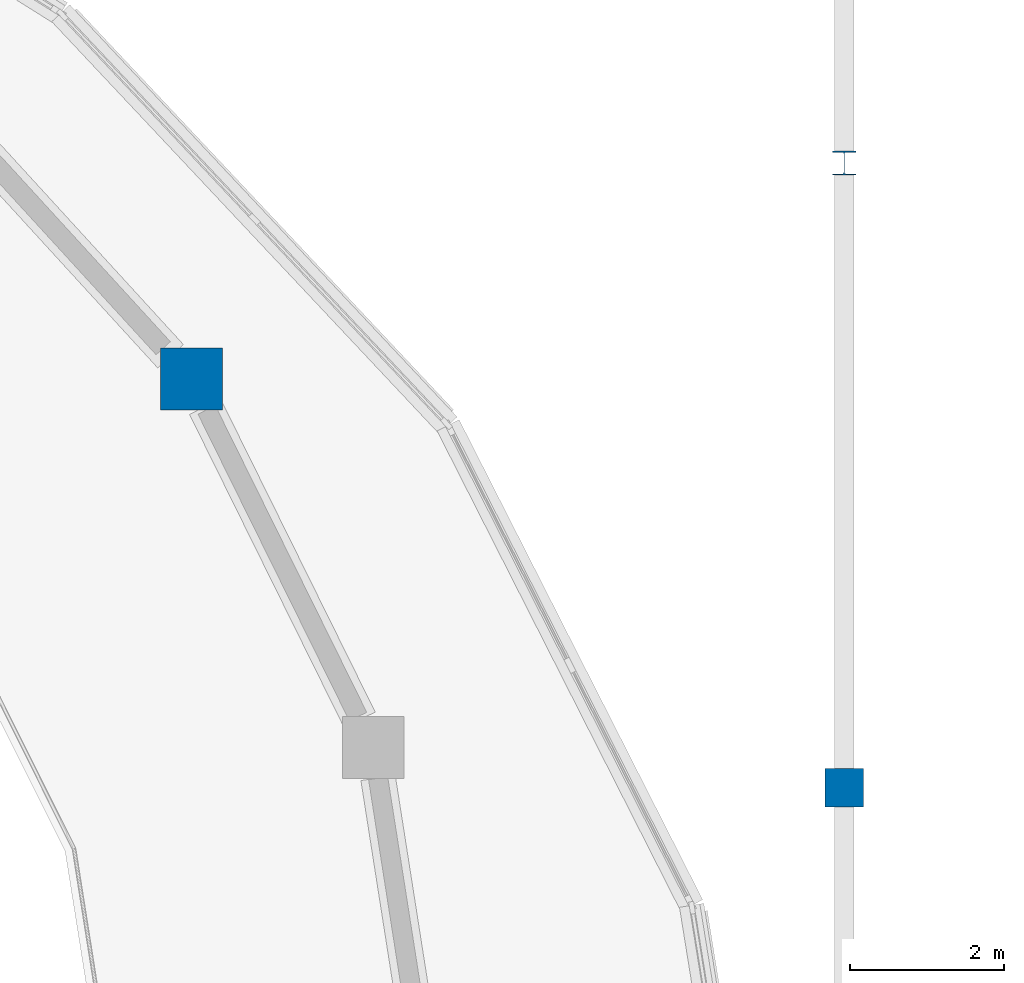
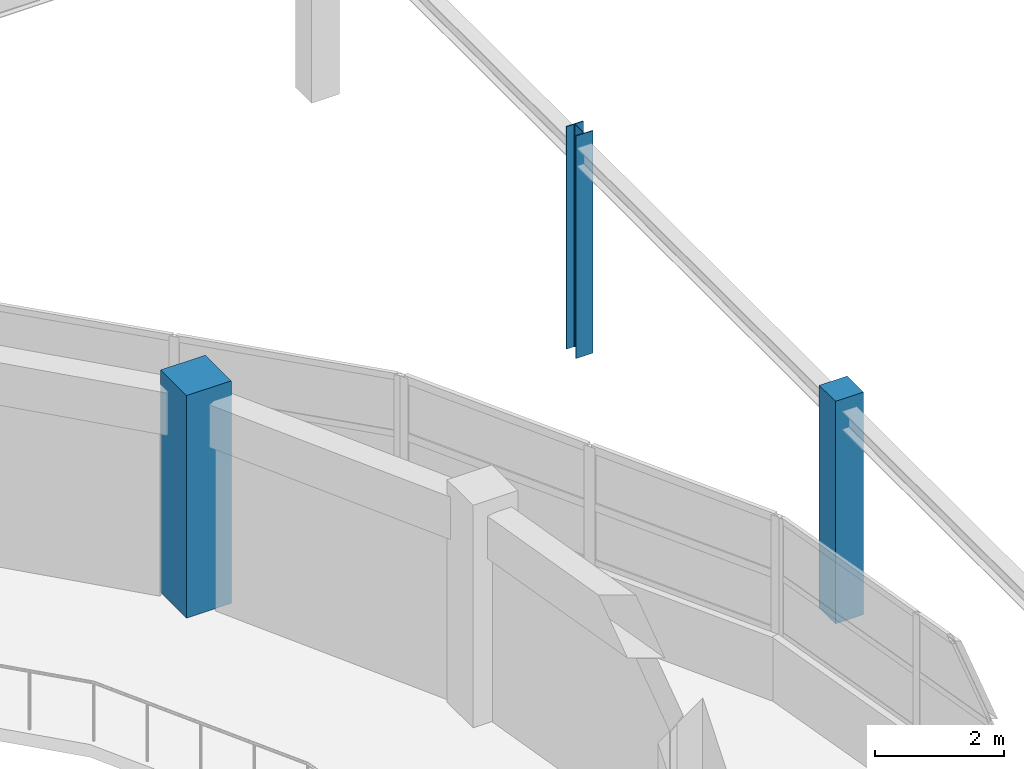
# One storey, part 3 of 54: 3 columns.
"""IFC4 building model written with IfcOpenShell, lengths in metres."""

from ifc_helpers import new_model, si_unit, direction, frame, origin, origin_2d, place, context, subcontext, project, spatial, rectangle, i_section, extrude, material, material_profile, profile_set, type_object, element, save


model = new_model("IFC4")

# Units and contexts
model_context = context("Model", 3, precision=1e-05, world=origin(), true_north=direction((0.0, 1.0)))
body_context = subcontext(model_context, "Body", "Model", "MODEL_VIEW")
ifc_project = project(units=[si_unit("LENGTHUNIT", "METRE"), si_unit("AREAUNIT", "SQUARE_METRE"), si_unit("VOLUMEUNIT", "CUBIC_METRE"), si_unit("PLANEANGLEUNIT", "RADIAN"), si_unit("MASSUNIT", "GRAM", prefix="KILO")], contexts=[model_context])

# Site, building, storey
site_placement = place(None, origin())
site = spatial("IfcSite", under=ifc_project, at=site_placement, CompositionType="ELEMENT")
building_placement = place(site_placement, origin())
building = spatial("IfcBuilding", under=site, at=building_placement, Name="Parian Resonance Hall", CompositionType="ELEMENT")
storey_placement = place(building_placement, frame((0.0, 0.0, 15.0)))
storey = spatial("IfcBuildingStorey", under=building, at=storey_placement, Name="L03", CompositionType="ELEMENT", Elevation=15.0)

# Columns
ifc_material_1 = material(Name="Concrete C40/50", Category="concrete")
ifc_material_profile_1 = material_profile(ifc_material_1, rectangle(XDim=0.5, YDim=0.5, at=origin_2d()), Name="RC-COL-500x500")
ifc_profile_set_1 = profile_set([ifc_material_profile_1], Name="Concrete C40/50")
column_type_1 = type_object("IfcColumnType", Name="COL-RC500", PredefinedType="COLUMN", material=ifc_profile_set_1)
column_1_placement = place(storey_placement, frame((72.89990234375, 48.60009765625, 0.0), z_axis=(0.0, 0.0, 1.0), x_axis=(1.0, 0.0, 0.0)))
element("IfcColumn", 1, at=column_1_placement, inside=storey, type_object=column_type_1, Name="Column G10-07 L03", PredefinedType="COLUMN", context=body_context, shape_type="SweptSolid", body=[
    extrude(rectangle(XDim=0.5, YDim=0.5, at=origin_2d()), origin(), (0.0, 0.0, 1.0), 4.199951171875),
])
ifc_material_2 = material(Name="Concrete C40/50", Category="concrete")
ifc_material_profile_2 = material_profile(ifc_material_2, rectangle(XDim=0.800048828125, YDim=0.800048828125, at=origin_2d()), Name="RC-COL-800x800")
ifc_profile_set_2 = profile_set([ifc_material_profile_2], Name="Concrete C40/50")
column_type_2 = type_object("IfcColumnType", Name="COL-RC800", PredefinedType="COLUMN", material=ifc_profile_set_2)
column_2_placement = place(storey_placement, frame((64.438232421875, 53.89990234375, 0.0), z_axis=(0.0, 0.0, 1.0), x_axis=(1.0, 0.0, 0.0)))
element("IfcColumn", 2, at=column_2_placement, inside=storey, type_object=column_type_2, Name="Column DRM-03 L03", PredefinedType="COLUMN", context=body_context, shape_type="SweptSolid", body=[
    extrude(rectangle(XDim=0.800048828125, YDim=0.800048828125, at=origin_2d()), origin(), (0.0, 0.0, 1.0), 4.199951171875),
])
ifc_material_3 = material(Name="Steel S355", Category="steel")
ifc_material_profile_3 = material_profile(ifc_material_3, i_section(OverallWidth=0.304931640625, OverallDepth=0.30810546875, WebThickness=0.010009765625, FlangeThickness=0.015380859375, FilletRadius=0.01513671875, at=origin_2d()), Name="W310x97")
ifc_profile_set_3 = profile_set([ifc_material_profile_3], Name="Steel S355")
column_type_3 = type_object("IfcColumnType", Name="COL-W310", PredefinedType="COLUMN", material=ifc_profile_set_3)
column_3_placement = place(storey_placement, frame((72.89990234375, 56.699951171875, 0.0), z_axis=(0.0, 0.0, 1.0), x_axis=(1.0, 0.0, 0.0)))
element("IfcColumn", 3, at=column_3_placement, inside=storey, type_object=column_type_3, Name="Column G10-08 L03", PredefinedType="COLUMN", context=body_context, shape_type="SweptSolid", body=[
    extrude(i_section(OverallWidth=0.304931640625, OverallDepth=0.30810546875, WebThickness=0.010009765625, FlangeThickness=0.015380859375, FilletRadius=0.01513671875, at=origin_2d()), origin(), (0.0, 0.0, 1.0), 4.199951171875),
])

save(model, "model.ifc")
